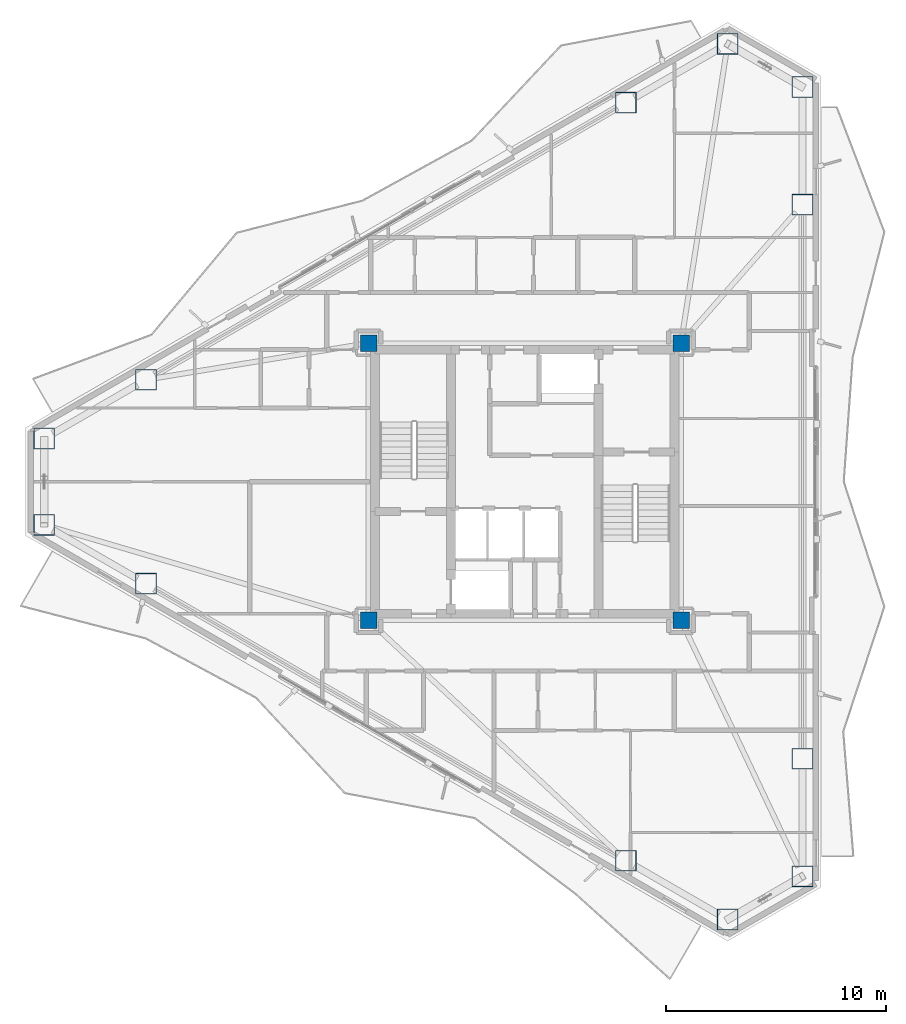
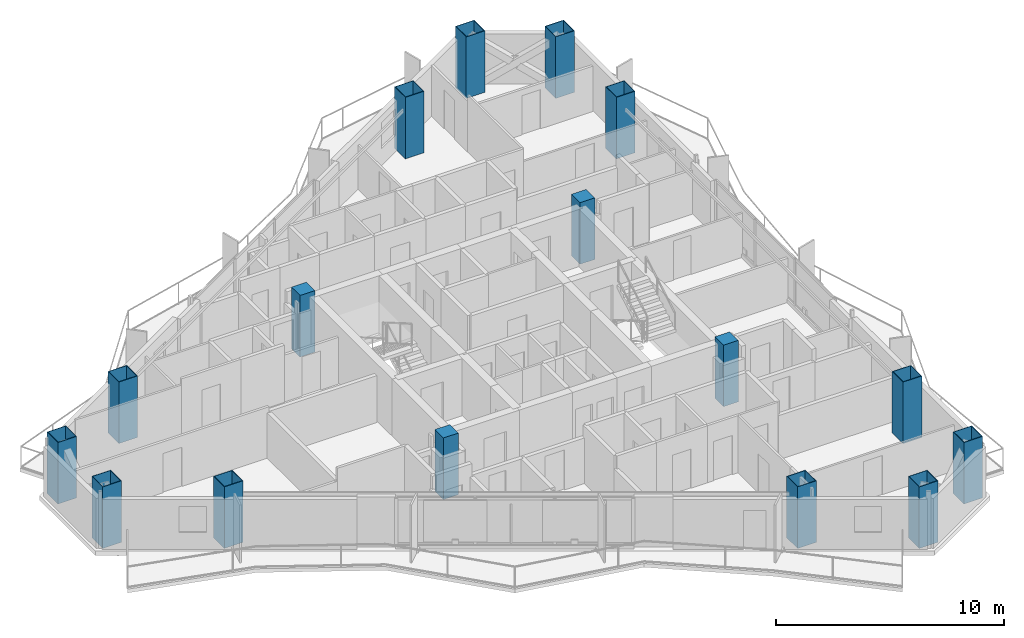
# One storey, part 1 of 19: 16 columns.
"""IFC4 building model written with IfcOpenShell, lengths in metres."""

from ifc_helpers import new_model, si_unit, direction, frame, origin, origin_2d, place, context, subcontext, project, spatial, rectangle, hollow_rectangle, extrude, material, material_profile, profile_set, type_object, element, save


model = new_model("IFC4")

# Units and contexts
model_context = context("Model", 3, precision=1e-05, world=origin(), true_north=direction((0.0, 1.0)))
body_context = subcontext(model_context, "Body", "Model", "MODEL_VIEW")
ifc_project = project(units=[si_unit("LENGTHUNIT", "METRE"), si_unit("AREAUNIT", "SQUARE_METRE"), si_unit("VOLUMEUNIT", "CUBIC_METRE"), si_unit("PLANEANGLEUNIT", "RADIAN"), si_unit("MASSUNIT", "GRAM", prefix="KILO")], contexts=[model_context])

# Site, building, storey
site_placement = place(None, origin())
site = spatial("IfcSite", under=ifc_project, at=site_placement, CompositionType="ELEMENT")
building_placement = place(site_placement, origin())
building = spatial("IfcBuilding", under=site, at=building_placement, Name="Mersakhor Tower and Convention Hall", CompositionType="ELEMENT")
storey_placement = place(building_placement, frame((0.0, 0.0, 131.10009765625)))
storey = spatial("IfcBuildingStorey", under=building, at=storey_placement, Name="L36", CompositionType="ELEMENT", Elevation=131.10009765625)

# Columns
ifc_material_1 = material(Name="Concrete C60/75 in S460M steel box", Category="concrete")
ifc_material_profile_1 = material_profile(ifc_material_1, hollow_rectangle(XDim=0.949951171875, YDim=0.949951171875, WallThickness=0.028076171875, at=origin_2d()), Name="SHS 950x950x28")
ifc_profile_set_1 = profile_set([ifc_material_profile_1], Name="Concrete C60/75 in S460M steel box")
column_type_1 = type_object("IfcColumnType", Name="COL-CFT-950", PredefinedType="COLUMN", material=ifc_profile_set_1)
for number, where, z_axis, x_axis, name in (
    (1, (7.160400390625, 28.71240234375, 0.0), (0.0, 0.0, 1.0), (1.0, 0.0, 0.0), "L36 Perimeter Mega-Column MC-01"),
    (2, (11.788330078125, 31.38427734375, 0.0), (0.0, 0.0, 1.0), (1.0, 0.0, 0.0), "L36 Perimeter Mega-Column MC-02"),
    (3, (33.592529296875, 43.972900390625, 0.0), (0.0, 0.0, 1.0), (1.0, 0.0, 0.0), "L36 Perimeter Mega-Column MC-03"),
    (4, (38.220458984375, 46.644775390625, 0.0), (0.0, 0.0, 1.0), (1.0, 0.0, 0.0), "L36 Perimeter Mega-Column MC-04"),
    (5, (41.619140625, 44.6826171875, 0.0), (0.0, 0.0, 1.0), (1.0, 0.0, 0.0), "L36 Perimeter Mega-Column MC-05"),
    (6, (41.619140625, 39.338623046875, 0.0), (0.0, 0.0, 1.0), (1.0, 0.0, 0.0), "L36 Perimeter Mega-Column MC-06"),
    (7, (41.619140625, 14.161376953125, 0.0), (0.0, 0.0, 1.0), (1.0, 0.0, 0.0), "L36 Perimeter Mega-Column MC-07"),
    (8, (41.619140625, 8.8173828125, 0.0), (0.0, 0.0, 1.0), (1.0, 0.0, 0.0), "L36 Perimeter Mega-Column MC-08"),
    (9, (38.220458984375, 6.855224609375, 0.0), (0.0, 0.0, 1.0), (1.0, 0.0, 0.0), "L36 Perimeter Mega-Column MC-09"),
    (10, (33.592529296875, 9.527099609375, 0.0), (0.0, 0.0, 1.0), (1.0, 0.0, 0.0), "L36 Perimeter Mega-Column MC-10"),
    (11, (11.788330078125, 22.11572265625, 0.0), (0.0, 0.0, 1.0), (1.0, 0.0, 0.0), "L36 Perimeter Mega-Column MC-11"),
    (12, (7.160400390625, 24.78759765625, 0.0), (0.0, 0.0, 1.0), (1.0, 0.0, 0.0), "L36 Perimeter Mega-Column MC-12"),
):
    element("IfcColumn", number, at=place(storey_placement, frame(where, z_axis=z_axis, x_axis=x_axis)), inside=storey, type_object=column_type_1, Name=name, PredefinedType="COLUMN", context=body_context, shape_type="SweptSolid", body=[
        extrude(hollow_rectangle(XDim=0.949951171875, YDim=0.949951171875, WallThickness=0.028076171875, at=origin_2d()), origin(), (0.0, 0.0, 1.0), 3.2998046875),
    ])
ifc_material_2 = material(Name="Concrete C50/60", Category="concrete")
ifc_material_profile_2 = material_profile(ifc_material_2, rectangle(XDim=0.75, YDim=0.75, at=origin_2d()), Name="RC 750x750")
ifc_profile_set_2 = profile_set([ifc_material_profile_2], Name="Concrete C50/60")
column_type_2 = type_object("IfcColumnType", Name="COL-RC-750", PredefinedType="COLUMN", material=ifc_profile_set_2)
for number, where, z_axis, x_axis, name in (
    (13, (21.89990234375, 20.449951171875, 0.0), (0.0, 0.0, 1.0), (1.0, 0.0, 0.0), "L36 Core Corner Column CC-1"),
    (14, (21.89990234375, 33.050048828125, 0.0), (0.0, 0.0, 1.0), (1.0, 0.0, 0.0), "L36 Core Corner Column CC-2"),
    (15, (36.10009765625, 33.050048828125, 0.0), (0.0, 0.0, 1.0), (1.0, 0.0, 0.0), "L36 Core Corner Column CC-3"),
    (16, (36.10009765625, 20.449951171875, 0.0), (0.0, 0.0, 1.0), (1.0, 0.0, 0.0), "L36 Core Corner Column CC-4"),
):
    element("IfcColumn", number, at=place(storey_placement, frame(where, z_axis=z_axis, x_axis=x_axis)), inside=storey, type_object=column_type_2, Name=name, PredefinedType="COLUMN", context=body_context, shape_type="SweptSolid", body=[
        extrude(rectangle(XDim=0.75, YDim=0.75, at=origin_2d()), origin(), (0.0, 0.0, 1.0), 3.2998046875),
    ])

save(model, "model.ifc")
